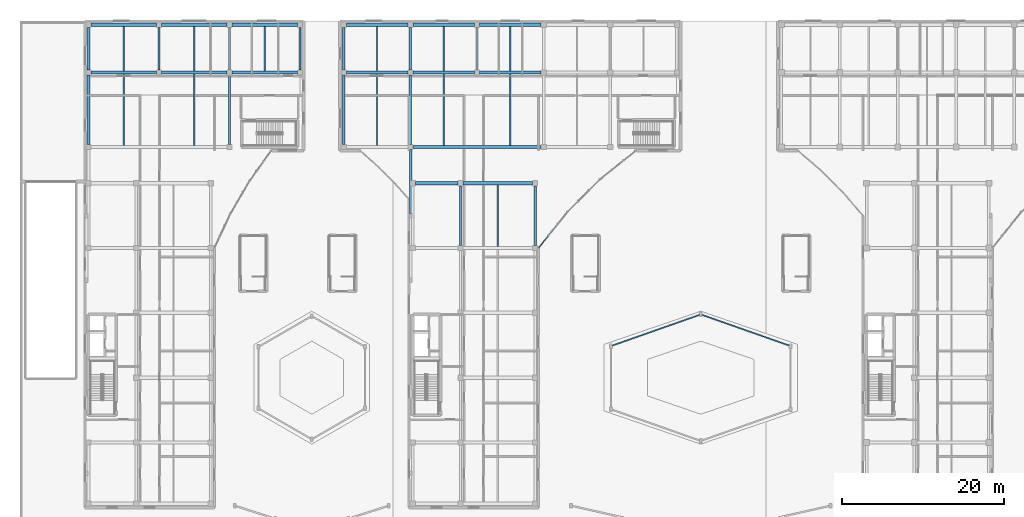
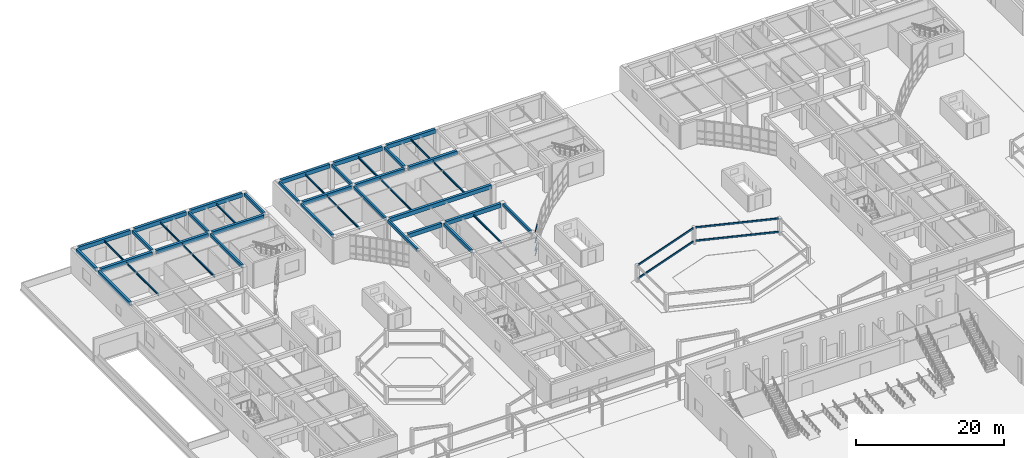
# One storey, part 31 of 114: 41 beams, 8 members, 1 element without a shape of its own.
"""IFC4 building model written with IfcOpenShell, lengths in metres."""

from ifc_helpers import new_model, si_unit, direction, frame, origin, origin_2d, place, context, subcontext, project, spatial, rectangle, hollow_rectangle, i_section, extrude, material, layer, layer_set, material_profile, profile_set, type_object, element, aggregate, save


model = new_model("IFC4")

# Units and contexts
model_context = context("Model", 3, precision=1e-05, world=origin(), true_north=direction((0.0, 1.0)))
body_context = subcontext(model_context, "Body", "Model", "MODEL_VIEW")
ifc_project = project(units=[si_unit("LENGTHUNIT", "METRE"), si_unit("AREAUNIT", "SQUARE_METRE"), si_unit("VOLUMEUNIT", "CUBIC_METRE"), si_unit("PLANEANGLEUNIT", "RADIAN"), si_unit("MASSUNIT", "GRAM", prefix="KILO")], contexts=[model_context])

# Site, building, storey
site_placement = place(None, origin())
site = spatial("IfcSite", under=ifc_project, at=site_placement, CompositionType="ELEMENT")
building_placement = place(site_placement, origin())
building = spatial("IfcBuilding", under=site, at=building_placement, Name="Keldmere Railside Commons", CompositionType="ELEMENT")
storey_placement = place(building_placement, origin())
storey = spatial("IfcBuildingStorey", under=building, at=storey_placement, Name="L00", CompositionType="ELEMENT", Elevation=0.0)

# Members
ifc_material_1 = material(Name="Steel F-36 (S355)", Category="steel")
ifc_material_profile_1 = material_profile(ifc_material_1, hollow_rectangle(XDim=0.14990234375, YDim=0.25, WallThickness=0.010009765625, at=origin_2d()), Name="RHS-250x150x10")
ifc_profile_set_1 = profile_set([ifc_material_profile_1], Name="Steel F-36 (S355)")
member_type_1 = type_object("IfcMemberType", Name="Balcony Continuous Planted Trough RHS250x150", PredefinedType="CHORD", material=ifc_profile_set_1)
for number, where, z_axis, x_axis, name in (
    (1, (94.9716796875, 75.939697265625, 0.449951171875), (-0.943312144893, 0.331906910591, 0.0), (-0.331906910591, -0.943312144893, 0.0), "PLT-1 MEM-HEXPLT-0075"),
    (2, (94.9716796875, 75.939697265625, 2.64990234375), (-0.943312144893, 0.331906910591, 0.0), (-0.331906910591, -0.943312144893, 0.0), "PLT-1 MEM-HEXPLT-0076"),
    (3, (83.88671875, 79.76025390625, 0.449951171875), (-0.943312144893, -0.331906910591, 0.0), (0.331906910591, -0.943312144893, 0.0), "PLT-1 MEM-HEXPLT-0077"),
    (4, (83.88671875, 79.76025390625, 2.64990234375), (-0.943312144893, -0.331906910591, 0.0), (0.331906910591, -0.943312144893, 0.0), "PLT-1 MEM-HEXPLT-0078"),
):
    element("IfcMember", number, at=place(storey_placement, frame(where, z_axis=z_axis, x_axis=x_axis)), inside=storey, type_object=member_type_1, Name=name, PredefinedType="CHORD", context=body_context, shape_type="SweptSolid", body=[
        extrude(hollow_rectangle(XDim=0.14990234375, YDim=0.25, WallThickness=0.010009765625, at=origin_2d()), origin(), (0.0, 0.0, 1.0), 11.510986328125),
    ])

# Beams
ifc_material_profile_2 = material_profile(ifc_material_1, i_section(OverallWidth=0.14990234375, OverallDepth=0.300048828125, WebThickness=0.007080078125, FlangeThickness=0.0107421875, at=origin_2d()), Name="IPE-300")
ifc_profile_set_2 = profile_set([ifc_material_profile_2], Name="Steel F-36 (S355)")
beam_type_1 = type_object("IfcBeamType", Name="Podium & Arcade Steel Joist IPE300", PredefinedType="JOIST", material=ifc_profile_set_2)
beam_1_placement = place(storey_placement, frame((58.949951171875, 88.199951171875, 3.739990234375), z_axis=(0.0, 1.0, 0.0), x_axis=(-1.0, 0.0, 0.0)))
element("IfcBeam", 5, at=beam_1_placement, inside=storey, type_object=beam_type_1, Name="JST-1 BM-L00-0709", PredefinedType="JOIST", context=body_context, shape_type="SweptSolid", body=[
    extrude(i_section(OverallWidth=0.14990234375, OverallDepth=0.300048828125, WebThickness=0.007080078125, FlangeThickness=0.0107421875, at=origin_2d()), origin(), (0.0, 0.0, 1.0), 7.60009765625),
])
for number, where, z_axis, x_axis, name in (
    (6, (12.800048828125, 100.64990234375, 3.739990234375), (0.0, 1.0, 0.0), (-1.0, 0.0, 0.0), "JST-1 BM-L00-0712"),
    (7, (21.5, 100.64990234375, 3.739990234375), (0.0, 1.0, 0.0), (-1.0, 0.0, 0.0), "JST-1 BM-L00-0713"),
    (8, (44.06005859375, 100.64990234375, 3.739990234375), (0.0, 1.0, 0.0), (-1.0, 0.0, 0.0), "JST-1 BM-L00-0714"),
    (9, (52.280029296875, 100.64990234375, 3.739990234375), (0.0, 1.0, 0.0), (-1.0, 0.0, 0.0), "JST-1 BM-L00-0715"),
    (10, (60.5, 100.64990234375, 3.739990234375), (0.0, 1.0, 0.0), (-1.0, 0.0, 0.0), "JST-1 BM-L00-0716"),
):
    element("IfcBeam", number, at=place(storey_placement, frame(where, z_axis=z_axis, x_axis=x_axis)), inside=storey, type_object=beam_type_1, Name=name, PredefinedType="JOIST", context=body_context, shape_type="SweptSolid", body=[
        extrude(i_section(OverallWidth=0.14990234375, OverallDepth=0.300048828125, WebThickness=0.007080078125, FlangeThickness=0.0107421875, at=origin_2d()), origin(), (0.0, 0.0, 1.0), 8.800048828125),
    ])
for number, where, z_axis, x_axis, name in (
    (11, (12.800048828125, 109.85009765625, 3.739990234375), (0.0, 1.0, 0.0), (-1.0, 0.0, 0.0), "JST-1 BM-L00-0725"),
    (12, (21.5, 109.85009765625, 3.739990234375), (0.0, 1.0, 0.0), (-1.0, 0.0, 0.0), "JST-1 BM-L00-0726"),
    (13, (30.199951171875, 109.85009765625, 3.739990234375), (0.0, 1.0, 0.0), (-1.0, 0.0, 0.0), "JST-1 BM-L00-0727"),
    (14, (44.06005859375, 109.85009765625, 3.739990234375), (0.0, 1.0, 0.0), (-1.0, 0.0, 0.0), "JST-1 BM-L00-0728"),
    (15, (52.280029296875, 109.85009765625, 3.739990234375), (0.0, 1.0, 0.0), (-1.0, 0.0, 0.0), "JST-1 BM-L00-0729"),
    (16, (60.5, 109.85009765625, 3.739990234375), (0.0, 1.0, 0.0), (-1.0, 0.0, 0.0), "JST-1 BM-L00-0730"),
):
    element("IfcBeam", number, at=place(storey_placement, frame(where, z_axis=z_axis, x_axis=x_axis)), inside=storey, type_object=beam_type_1, Name=name, PredefinedType="JOIST", context=body_context, shape_type="SweptSolid", body=[
        extrude(i_section(OverallWidth=0.14990234375, OverallDepth=0.300048828125, WebThickness=0.007080078125, FlangeThickness=0.0107421875, at=origin_2d()), origin(), (0.0, 0.0, 1.0), 5.5),
    ])
ifc_material_2 = material(Name="Concrete H-30 (C30/37)", Category="concrete")
ifc_material_profile_3 = material_profile(ifc_material_2, rectangle(XDim=0.35009765625, YDim=0.60009765625, at=origin_2d()), Name="RC-350x600")
ifc_profile_set_3 = profile_set([ifc_material_profile_3], Name="Concrete H-30 (C30/37)")
beam_type_2 = type_object("IfcBeamType", Name="Residential Chord RC Beam 350x600", PredefinedType="BEAM", material=ifc_profile_set_3)
beam_2_placement = place(storey_placement, frame((8.449951171875, 100.77490234375, 3.860107421875), z_axis=(0.0, 1.0, 0.0), x_axis=(-1.0, 0.0, 0.0)))
element("IfcBeam", 17, at=beam_2_placement, inside=storey, type_object=beam_type_2, Name="BG-4 BM-L00-0554", PredefinedType="BEAM", context=body_context, shape_type="SweptSolid", body=[
    extrude(rectangle(XDim=0.35009765625, YDim=0.60009765625, at=origin_2d()), origin(), (0.0, 0.0, 1.0), 8.550048828125),
])
beam_3_placement = place(storey_placement, frame((8.449951171875, 109.97509765625, 3.860107421875), z_axis=(0.0, 1.0, 0.0), x_axis=(-1.0, 0.0, 0.0)))
element("IfcBeam", 18, at=beam_3_placement, inside=storey, type_object=beam_type_2, Name="BG-4 BM-L00-0555", PredefinedType="BEAM", context=body_context, shape_type="SweptSolid", body=[
    extrude(rectangle(XDim=0.35009765625, YDim=0.60009765625, at=origin_2d()), origin(), (0.0, 0.0, 1.0), 5.25),
])
ifc_material_profile_4 = material_profile(ifc_material_2, rectangle(XDim=0.39990234375, YDim=0.64990234375, at=origin_2d()), Name="RC-400x650")
ifc_profile_set_4 = profile_set([ifc_material_profile_4], Name="Concrete H-30 (C30/37)")
beam_type_3 = type_object("IfcBeamType", Name="Residential Spine RC Girder 400x650", PredefinedType="BEAM", material=ifc_profile_set_4)
beam_4_placement = place(storey_placement, frame((48.77490234375, 96.0, 3.8349609375), z_axis=(1.0, 0.0, 0.0), x_axis=(0.0, 1.0, 0.0)))
element("IfcBeam", 19, at=beam_4_placement, inside=storey, type_object=beam_type_3, Name="BG-3 BM-L00-0493", PredefinedType="BEAM", context=body_context, shape_type="SweptSolid", body=[
    extrude(rectangle(XDim=0.39990234375, YDim=0.64990234375, at=origin_2d()), origin(), (0.0, 0.0, 1.0), 5.25),
])
beam_5_placement = place(storey_placement, frame((54.675048828125, 96.0, 3.8349609375), z_axis=(1.0, 0.0, 0.0), x_axis=(0.0, 1.0, 0.0)))
element("IfcBeam", 20, at=beam_5_placement, inside=storey, type_object=beam_type_3, Name="BG-3 BM-L00-0494", PredefinedType="BEAM", context=body_context, shape_type="SweptSolid", body=[
    extrude(rectangle(XDim=0.39990234375, YDim=0.64990234375, at=origin_2d()), origin(), (0.0, 0.0, 1.0), 8.550048828125),
])
beam_6_placement = place(storey_placement, frame((48.4951171875, 100.449951171875, 3.8349609375), z_axis=(1.0, 0.0, 0.0), x_axis=(0.0, 1.0, 0.0)))
element("IfcBeam", 21, at=beam_6_placement, inside=storey, type_object=beam_type_3, Name="BG-3 BM-L00-0501", PredefinedType="BEAM", context=body_context, shape_type="SweptSolid", body=[
    extrude(rectangle(XDim=0.39990234375, YDim=0.64990234375, at=origin_2d()), origin(), (0.0, 0.0, 1.0), 15.789794921875),
])
beam_7_placement = place(storey_placement, frame((8.77490234375, 109.64990234375, 3.8349609375), z_axis=(1.0, 0.0, 0.0), x_axis=(0.0, 1.0, 0.0)))
element("IfcBeam", 22, at=beam_7_placement, inside=storey, type_object=beam_type_3, Name="BG-3 BM-L00-0509", PredefinedType="BEAM", context=body_context, shape_type="SweptSolid", body=[
    extrude(rectangle(XDim=0.39990234375, YDim=0.64990234375, at=origin_2d()), origin(), (0.0, 0.0, 1.0), 8.050048828125),
])
beam_8_placement = place(storey_placement, frame((17.47509765625, 109.64990234375, 3.8349609375), z_axis=(1.0, 0.0, 0.0), x_axis=(0.0, 1.0, 0.0)))
element("IfcBeam", 23, at=beam_8_placement, inside=storey, type_object=beam_type_3, Name="BG-3 BM-L00-0510", PredefinedType="BEAM", context=body_context, shape_type="SweptSolid", body=[
    extrude(rectangle(XDim=0.39990234375, YDim=0.64990234375, at=origin_2d()), origin(), (0.0, 0.0, 1.0), 8.0498046875),
])
beam_9_placement = place(storey_placement, frame((26.175048828125, 109.64990234375, 3.8349609375), z_axis=(1.0, 0.0, 0.0), x_axis=(0.0, 1.0, 0.0)))
element("IfcBeam", 24, at=beam_9_placement, inside=storey, type_object=beam_type_3, Name="BG-3 BM-L00-0511", PredefinedType="BEAM", context=body_context, shape_type="SweptSolid", body=[
    extrude(rectangle(XDim=0.39990234375, YDim=0.64990234375, at=origin_2d()), origin(), (0.0, 0.0, 1.0), 8.050048828125),
])
beam_10_placement = place(storey_placement, frame((40.27490234375, 109.64990234375, 3.8349609375), z_axis=(1.0, 0.0, 0.0), x_axis=(0.0, 1.0, 0.0)))
element("IfcBeam", 25, at=beam_10_placement, inside=storey, type_object=beam_type_3, Name="BG-3 BM-L00-0512", PredefinedType="BEAM", context=body_context, shape_type="SweptSolid", body=[
    extrude(rectangle(XDim=0.39990234375, YDim=0.64990234375, at=origin_2d()), origin(), (0.0, 0.0, 1.0), 7.570068359375),
])
for number, where, z_axis, x_axis, name in (
    (26, (48.4951171875, 109.64990234375, 3.8349609375), (1.0, 0.0, 0.0), (0.0, 1.0, 0.0), "BG-3 BM-L00-0513"),
    (27, (56.715087890625, 109.64990234375, 3.8349609375), (1.0, 0.0, 0.0), (0.0, 1.0, 0.0), "BG-3 BM-L00-0514"),
):
    element("IfcBeam", number, at=place(storey_placement, frame(where, z_axis=z_axis, x_axis=x_axis)), inside=storey, type_object=beam_type_3, Name=name, PredefinedType="BEAM", context=body_context, shape_type="SweptSolid", body=[
        extrude(rectangle(XDim=0.39990234375, YDim=0.64990234375, at=origin_2d()), origin(), (0.0, 0.0, 1.0), 7.56982421875),
    ])
beam_11_placement = place(storey_placement, frame((8.77490234375, 115.550048828125, 3.8349609375), z_axis=(1.0, 0.0, 0.0), x_axis=(0.0, 1.0, 0.0)))
element("IfcBeam", 28, at=beam_11_placement, inside=storey, type_object=beam_type_3, Name="BG-3 BM-L00-0528", PredefinedType="BEAM", context=body_context, shape_type="SweptSolid", body=[
    extrude(rectangle(XDim=0.39990234375, YDim=0.64990234375, at=origin_2d()), origin(), (0.0, 0.0, 1.0), 8.050048828125),
])
beam_12_placement = place(storey_placement, frame((17.47509765625, 115.550048828125, 3.8349609375), z_axis=(1.0, 0.0, 0.0), x_axis=(0.0, 1.0, 0.0)))
element("IfcBeam", 29, at=beam_12_placement, inside=storey, type_object=beam_type_3, Name="BG-3 BM-L00-0529", PredefinedType="BEAM", context=body_context, shape_type="SweptSolid", body=[
    extrude(rectangle(XDim=0.39990234375, YDim=0.64990234375, at=origin_2d()), origin(), (0.0, 0.0, 1.0), 8.0498046875),
])
beam_13_placement = place(storey_placement, frame((26.175048828125, 115.550048828125, 3.8349609375), z_axis=(1.0, 0.0, 0.0), x_axis=(0.0, 1.0, 0.0)))
element("IfcBeam", 30, at=beam_13_placement, inside=storey, type_object=beam_type_3, Name="BG-3 BM-L00-0530", PredefinedType="BEAM", context=body_context, shape_type="SweptSolid", body=[
    extrude(rectangle(XDim=0.39990234375, YDim=0.64990234375, at=origin_2d()), origin(), (0.0, 0.0, 1.0), 8.050048828125),
])
beam_14_placement = place(storey_placement, frame((40.27490234375, 115.550048828125, 3.8349609375), z_axis=(1.0, 0.0, 0.0), x_axis=(0.0, 1.0, 0.0)))
element("IfcBeam", 31, at=beam_14_placement, inside=storey, type_object=beam_type_3, Name="BG-3 BM-L00-0531", PredefinedType="BEAM", context=body_context, shape_type="SweptSolid", body=[
    extrude(rectangle(XDim=0.39990234375, YDim=0.64990234375, at=origin_2d()), origin(), (0.0, 0.0, 1.0), 7.570068359375),
])
for number, where, z_axis, x_axis, name in (
    (32, (48.4951171875, 115.550048828125, 3.8349609375), (1.0, 0.0, 0.0), (0.0, 1.0, 0.0), "BG-3 BM-L00-0532"),
    (33, (56.715087890625, 115.550048828125, 3.8349609375), (1.0, 0.0, 0.0), (0.0, 1.0, 0.0), "BG-3 BM-L00-0533"),
):
    element("IfcBeam", number, at=place(storey_placement, frame(where, z_axis=z_axis, x_axis=x_axis)), inside=storey, type_object=beam_type_3, Name=name, PredefinedType="BEAM", context=body_context, shape_type="SweptSolid", body=[
        extrude(rectangle(XDim=0.39990234375, YDim=0.64990234375, at=origin_2d()), origin(), (0.0, 0.0, 1.0), 7.56982421875),
    ])
ifc_material_profile_5 = material_profile(ifc_material_2, rectangle(XDim=0.300048828125, YDim=0.5, at=origin_2d()), Name="RC-300x500")
ifc_profile_set_5 = profile_set([ifc_material_profile_5], Name="Concrete H-30 (C30/37)")
beam_type_4 = type_object("IfcBeamType", Name="Secondary Frame RC Beam 300x500", PredefinedType="BEAM", material=ifc_profile_set_5)
beam_15_placement = place(storey_placement, frame((17.14990234375, 109.97509765625, 3.909912109375), z_axis=(0.0, 1.0, 0.0), x_axis=(-1.0, 0.0, 0.0)))
element("IfcBeam", 34, at=beam_15_placement, inside=storey, type_object=beam_type_4, Name="BG-5 BM-L00-0564", PredefinedType="BEAM", context=body_context, shape_type="SweptSolid", body=[
    extrude(rectangle(XDim=0.300048828125, YDim=0.5, at=origin_2d()), origin(), (0.0, 0.0, 1.0), 5.25),
])
beam_16_placement = place(storey_placement, frame((25.85009765625, 100.77490234375, 3.909912109375), z_axis=(0.0, 1.0, 0.0), x_axis=(-1.0, 0.0, 0.0)))
element("IfcBeam", 35, at=beam_16_placement, inside=storey, type_object=beam_type_4, Name="BG-5 BM-L00-0573", PredefinedType="BEAM", context=body_context, shape_type="SweptSolid", body=[
    extrude(rectangle(XDim=0.300048828125, YDim=0.5, at=origin_2d()), origin(), (0.0, 0.0, 1.0), 8.550048828125),
])
for number, where, z_axis, x_axis, name in (
    (36, (25.85009765625, 109.97509765625, 3.909912109375), (0.0, 1.0, 0.0), (-1.0, 0.0, 0.0), "BG-5 BM-L00-0574"),
    (37, (34.550048828125, 109.97509765625, 3.909912109375), (0.0, 1.0, 0.0), (-1.0, 0.0, 0.0), "BG-5 BM-L00-0578"),
):
    element("IfcBeam", number, at=place(storey_placement, frame(where, z_axis=z_axis, x_axis=x_axis)), inside=storey, type_object=beam_type_4, Name=name, PredefinedType="BEAM", context=body_context, shape_type="SweptSolid", body=[
        extrude(rectangle(XDim=0.300048828125, YDim=0.5, at=origin_2d()), origin(), (0.0, 0.0, 1.0), 5.25),
    ])
beam_17_placement = place(storey_placement, frame((39.949951171875, 100.77490234375, 3.909912109375), z_axis=(0.0, 1.0, 0.0), x_axis=(-1.0, 0.0, 0.0)))
element("IfcBeam", 38, at=beam_17_placement, inside=storey, type_object=beam_type_4, Name="BG-5 BM-L00-0582", PredefinedType="BEAM", context=body_context, shape_type="SweptSolid", body=[
    extrude(rectangle(XDim=0.300048828125, YDim=0.5, at=origin_2d()), origin(), (0.0, 0.0, 1.0), 8.550048828125),
])
beam_18_placement = place(storey_placement, frame((39.949951171875, 109.97509765625, 3.909912109375), z_axis=(0.0, 1.0, 0.0), x_axis=(-1.0, 0.0, 0.0)))
element("IfcBeam", 39, at=beam_18_placement, inside=storey, type_object=beam_type_4, Name="BG-5 BM-L00-0583", PredefinedType="BEAM", context=body_context, shape_type="SweptSolid", body=[
    extrude(rectangle(XDim=0.300048828125, YDim=0.5, at=origin_2d()), origin(), (0.0, 0.0, 1.0), 5.25),
])
beam_19_placement = place(storey_placement, frame((48.195068359375, 92.27490234375, 3.909912109375), z_axis=(0.0, 1.0, 0.0), x_axis=(-1.0, 0.0, 0.0)))
element("IfcBeam", 40, at=beam_19_placement, inside=storey, type_object=beam_type_4, Name="BG-5 BM-L00-0585", PredefinedType="BEAM", context=body_context, shape_type="SweptSolid", body=[
    extrude(rectangle(XDim=0.300048828125, YDim=0.5, at=origin_2d()), origin(), (0.0, 0.0, 1.0), 7.85009765625),
])
beam_20_placement = place(storey_placement, frame((48.169921875, 100.77490234375, 3.909912109375), z_axis=(0.0, 1.0, 0.0), x_axis=(-1.0, 0.0, 0.0)))
element("IfcBeam", 41, at=beam_20_placement, inside=storey, type_object=beam_type_4, Name="BG-5 BM-L00-0586", PredefinedType="BEAM", context=body_context, shape_type="SweptSolid", body=[
    extrude(rectangle(XDim=0.300048828125, YDim=0.5, at=origin_2d()), origin(), (0.0, 0.0, 1.0), 8.550048828125),
])
beam_21_placement = place(storey_placement, frame((48.169921875, 109.97509765625, 3.909912109375), z_axis=(0.0, 1.0, 0.0), x_axis=(-1.0, 0.0, 0.0)))
element("IfcBeam", 42, at=beam_21_placement, inside=storey, type_object=beam_type_4, Name="BG-5 BM-L00-0587", PredefinedType="BEAM", context=body_context, shape_type="SweptSolid", body=[
    extrude(rectangle(XDim=0.300048828125, YDim=0.5, at=origin_2d()), origin(), (0.0, 0.0, 1.0), 5.25),
])
beam_22_placement = place(storey_placement, frame((54.35009765625, 88.324951171875, 3.909912109375), z_axis=(0.0, 1.0, 0.0), x_axis=(-1.0, 0.0, 0.0)))
element("IfcBeam", 43, at=beam_22_placement, inside=storey, type_object=beam_type_4, Name="BG-5 BM-L00-0594", PredefinedType="BEAM", context=body_context, shape_type="SweptSolid", body=[
    extrude(rectangle(XDim=0.300048828125, YDim=0.5, at=origin_2d()), origin(), (0.0, 0.0, 1.0), 7.35009765625),
])
beam_23_placement = place(storey_placement, frame((56.389892578125, 109.97509765625, 3.909912109375), z_axis=(0.0, 1.0, 0.0), x_axis=(-1.0, 0.0, 0.0)))
element("IfcBeam", 44, at=beam_23_placement, inside=storey, type_object=beam_type_4, Name="BG-5 BM-L00-0595", PredefinedType="BEAM", context=body_context, shape_type="SweptSolid", body=[
    extrude(rectangle(XDim=0.300048828125, YDim=0.5, at=origin_2d()), origin(), (0.0, 0.0, 1.0), 5.25),
])
beam_24_placement = place(storey_placement, frame((63.550048828125, 88.324951171875, 3.909912109375), z_axis=(0.0, 1.0, 0.0), x_axis=(-1.0, 0.0, 0.0)))
element("IfcBeam", 45, at=beam_24_placement, inside=storey, type_object=beam_type_4, Name="BG-5 BM-L00-0600", PredefinedType="BEAM", context=body_context, shape_type="SweptSolid", body=[
    extrude(rectangle(XDim=0.300048828125, YDim=0.5, at=origin_2d()), origin(), (0.0, 0.0, 1.0), 7.35009765625),
])

# Curtain wall, members
ifc_material_3 = material(Name="Thermally Broken Aluminium", Category="aluminium")
ifc_layer = layer(ifc_material_3, 0.159912109375, Name="Residential Ground Entrance Lobby CW 4000x3600")
ifc_layer_set = layer_set([ifc_layer], Name="Thermally Broken Aluminium")
curtain_wall_type = type_object("IfcCurtainWallType", Name="Residential Ground Entrance Lobby CW 4000x3600", PredefinedType="NOTDEFINED", material=ifc_layer_set)
curtain_wall_placement = place(storey_placement, origin())
curtain_wall = element("IfcCurtainWall", 46, at=curtain_wall_placement, inside=storey, type_object=curtain_wall_type, Name="CW-10 CW-L00-025", PredefinedType="NOTDEFINED")
ifc_material_profile_6 = material_profile(ifc_material_3, hollow_rectangle(XDim=0.06494140625, YDim=0.1201171875, WallThickness=0.00390625, at=origin_2d()), Name="ALU-TRAN-65x120")
ifc_profile_set_6 = profile_set([ifc_material_profile_6], Name="Thermally Broken Aluminium")
member_type_2 = type_object("IfcMemberType", Name="Unitised Curtain Wall Transom 65x120", PredefinedType="USERDEFINED", material=ifc_profile_set_6)
member_1_placement = place(storey_placement, frame((65.164306640625, 89.451416015625, 0.032470703125), z_axis=(-0.625722553313, -0.780045694992, 0.0), x_axis=(0.780045694992, -0.625722553313, 0.0)))
member_1 = element("IfcMember", 47, at=member_1_placement, type_object=member_type_2, Name="CW-10 transom 3.1", ObjectType="TRANSOM", PredefinedType="USERDEFINED", context=body_context, shape_type="SweptSolid", body=[
    extrude(hollow_rectangle(XDim=0.06494140625, YDim=0.1201171875, WallThickness=0.00390625, at=origin_2d()), origin(), (0.0, 0.0, 1.0), 1.795654296875),
])
member_2_placement = place(storey_placement, frame((65.164306640625, 89.451416015625, 0.89990234375), z_axis=(-0.625722553313, -0.780045694992, 0.0), x_axis=(0.780045694992, -0.625722553313, 0.0)))
member_2 = element("IfcMember", 48, at=member_2_placement, type_object=member_type_2, Name="CW-10 transom 3.2", ObjectType="TRANSOM", PredefinedType="USERDEFINED", context=body_context, shape_type="SweptSolid", body=[
    extrude(hollow_rectangle(XDim=0.06494140625, YDim=0.1201171875, WallThickness=0.00390625, at=origin_2d()), origin(), (0.0, 0.0, 1.0), 1.795654296875),
])
member_3_placement = place(storey_placement, frame((65.164306640625, 89.451416015625, 2.14990234375), z_axis=(-0.625722553313, -0.780045694992, 0.0), x_axis=(0.780045694992, -0.625722553313, 0.0)))
member_3 = element("IfcMember", 49, at=member_3_placement, type_object=member_type_2, Name="CW-10 transom 3.3", ObjectType="TRANSOM", PredefinedType="USERDEFINED", context=body_context, shape_type="SweptSolid", body=[
    extrude(hollow_rectangle(XDim=0.06494140625, YDim=0.1201171875, WallThickness=0.00390625, at=origin_2d()), origin(), (0.0, 0.0, 1.0), 1.795654296875),
])
member_4_placement = place(storey_placement, frame((65.164306640625, 89.451416015625, 3.907470703125), z_axis=(-0.625722553313, -0.780045694992, 0.0), x_axis=(0.780045694992, -0.625722553313, 0.0)))
member_4 = element("IfcMember", 50, at=member_4_placement, type_object=member_type_2, Name="CW-10 transom 3.4", ObjectType="TRANSOM", PredefinedType="USERDEFINED", context=body_context, shape_type="SweptSolid", body=[
    extrude(hollow_rectangle(XDim=0.06494140625, YDim=0.1201171875, WallThickness=0.00390625, at=origin_2d()), origin(), (0.0, 0.0, 1.0), 1.795654296875),
])
aggregate(curtain_wall, [member_1, member_2, member_3, member_4])

save(model, "model.ifc")
